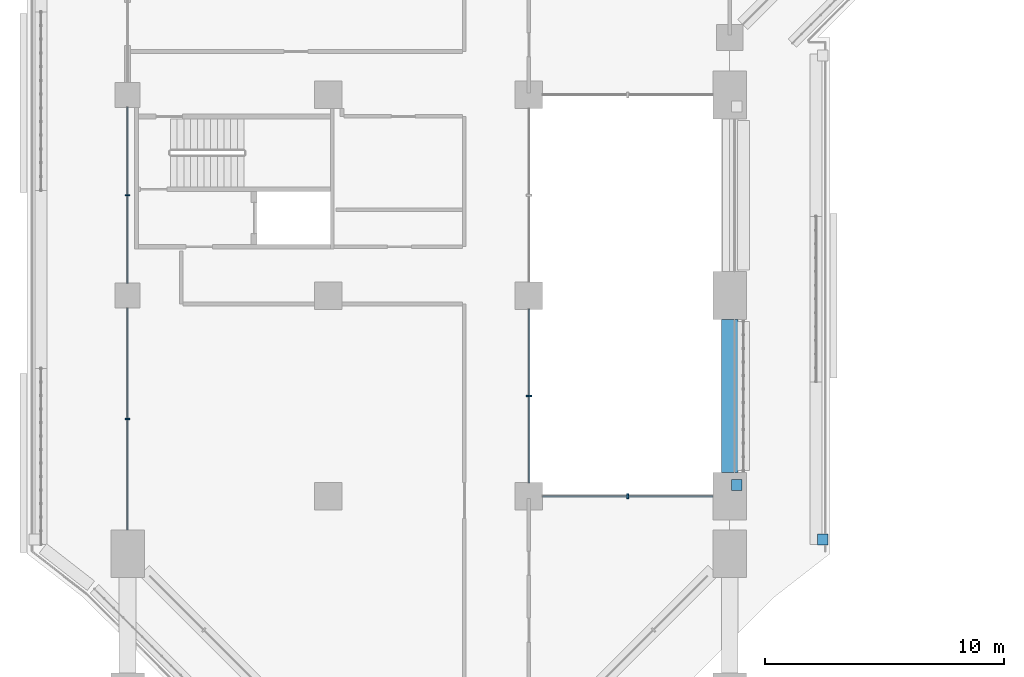
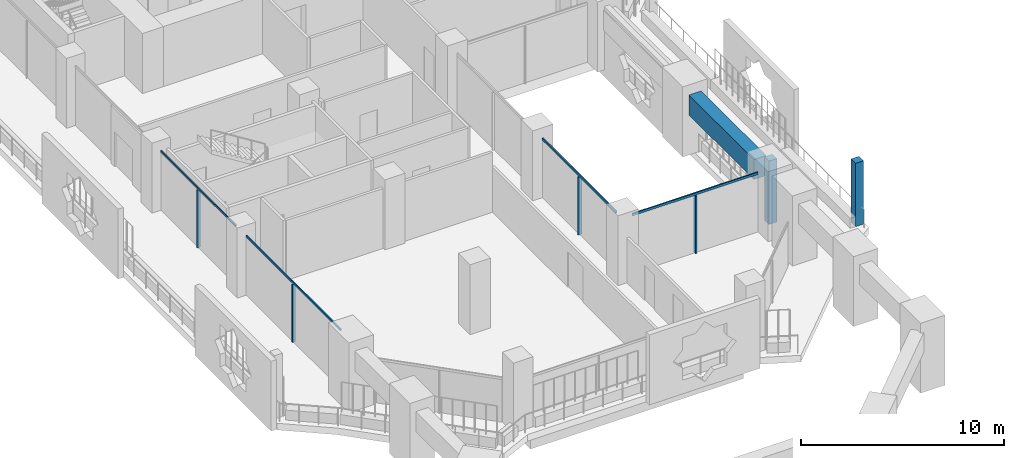
# One storey, part 3 of 29: 10 members, 1 beam, 4 elements without a shape of their own.
"""IFC4 building model written with IfcOpenShell, lengths in metres."""

from ifc_helpers import new_model, si_unit, direction, frame, origin, origin_2d, place, context, subcontext, project, spatial, rectangle, extrude, material, layer, layer_set, material_profile, profile_set, type_object, element, aggregate, save


model = new_model("IFC4")

# Units and contexts
model_context = context("Model", 3, precision=1e-05, world=origin(), true_north=direction((0.0, 1.0)))
body_context = subcontext(model_context, "Body", "Model", "MODEL_VIEW")
ifc_project = project(units=[si_unit("LENGTHUNIT", "METRE"), si_unit("AREAUNIT", "SQUARE_METRE"), si_unit("VOLUMEUNIT", "CUBIC_METRE"), si_unit("PLANEANGLEUNIT", "RADIAN"), si_unit("MASSUNIT", "GRAM", prefix="KILO")], contexts=[model_context])

# Site, building, storey
site_placement = place(None, origin())
site = spatial("IfcSite", under=ifc_project, at=site_placement, CompositionType="ELEMENT")
building_placement = place(site_placement, origin())
building = spatial("IfcBuilding", under=site, at=building_placement, Name="Kawkab Arch Medical Tower", CompositionType="ELEMENT")
storey_placement = place(building_placement, frame((0.0, 0.0, 107.199951171875)))
storey = spatial("IfcBuildingStorey", under=building, at=storey_placement, Name="L24", CompositionType="ELEMENT", Elevation=107.199951171875)

# Curtain wall, members
ifc_material_1 = material(Name="Bronze anodised aluminium curtain wall frame", Category="aluminium")
ifc_layer_1 = layer(ifc_material_1, 0.159912109375)
ifc_layer_set_1 = layer_set([ifc_layer_1], Name="Bronze anodised aluminium curtain wall frame")
curtain_wall_type_1 = type_object("IfcCurtainWallType", Name="CW1 ward curtain wall", PredefinedType="NOTDEFINED", material=ifc_layer_set_1)
placement = place(storey_placement, origin())
curtain_wall_1 = element("IfcCurtainWall", 1, at=placement, inside=storey, type_object=curtain_wall_type_1, Name="CW1 Ward curtain wall R13", PredefinedType="NOTDEFINED")
ifc_material_2 = material(Name="Bronze anodised aluminium curtain wall frame", Category="aluminium")
ifc_material_profile_1 = material_profile(ifc_material_2, rectangle(XDim=0.179931640625, YDim=0.06005859375, at=origin_2d()), Name="AL 60x180")
ifc_profile_set_1 = profile_set([ifc_material_profile_1], Name="Bronze anodised aluminium curtain wall frame")
member_type_1 = type_object("IfcMemberType", Name="CW1 mullion 60 x 180", PredefinedType="MULLION", material=ifc_profile_set_1)
member_1_placement = place(storey_placement, frame((0.0, -37.800048828125, 0.0), z_axis=(0.0, 0.0, 1.0), x_axis=(1.0, 0.0, 0.0)))
member_1 = element("IfcMember", 2, at=member_1_placement, type_object=member_type_1, Name="CW1 mullion 5.1", PredefinedType="MULLION", context=body_context, shape_type="SweptSolid", body=[
    extrude(rectangle(XDim=0.179931640625, YDim=0.06005859375, at=origin_2d()), origin(), (0.0, 0.0, 1.0), 3.47998046875),
])
member_2_placement = place(storey_placement, frame((0.0, -47.16259765625, 0.0), z_axis=(0.0, 0.0, 1.0), x_axis=(1.0, 0.0, 0.0)))
member_2 = element("IfcMember", 3, at=member_2_placement, type_object=member_type_1, Name="CW1 mullion 6.1", PredefinedType="MULLION", context=body_context, shape_type="SweptSolid", body=[
    extrude(rectangle(XDim=0.179931640625, YDim=0.06005859375, at=origin_2d()), origin(), (0.0, 0.0, 1.0), 3.47998046875),
])
ifc_material_3 = material(Name="Bronze anodised aluminium curtain wall frame", Category="aluminium")
ifc_material_profile_2 = material_profile(ifc_material_3, rectangle(XDim=0.06005859375, YDim=0.1201171875, at=origin_2d()), Name="AL 60x120")
ifc_profile_set_2 = profile_set([ifc_material_profile_2], Name="Bronze anodised aluminium curtain wall frame")
member_type_2 = type_object("IfcMemberType", Name="CW1 transom 120 x 60", PredefinedType="USERDEFINED", material=ifc_profile_set_2)
member_3_placement = place(storey_placement, frame((0.0, -34.125, 3.5400390625), z_axis=(0.0, -1.0, 0.0), x_axis=(1.0, 0.0, 0.0)))
member_3 = element("IfcMember", 4, at=member_3_placement, type_object=member_type_2, Name="CW1 transom 5", ObjectType="TRANSOM", PredefinedType="USERDEFINED", context=body_context, shape_type="SweptSolid", body=[
    extrude(rectangle(XDim=0.06005859375, YDim=0.1201171875, at=origin_2d()), origin(), (0.0, 0.0, 1.0), 7.35009765625),
])
member_4_placement = place(storey_placement, frame((0.0, -42.52490234375, 3.5400390625), z_axis=(0.0, -1.0, 0.0), x_axis=(1.0, 0.0, 0.0)))
member_4 = element("IfcMember", 5, at=member_4_placement, type_object=member_type_2, Name="CW1 transom 6", ObjectType="TRANSOM", PredefinedType="USERDEFINED", context=body_context, shape_type="SweptSolid", body=[
    extrude(rectangle(XDim=0.06005859375, YDim=0.1201171875, at=origin_2d()), origin(), (0.0, 0.0, 1.0), 9.275146484375),
])
aggregate(curtain_wall_1, [member_3, member_1, member_4, member_2])

# Curtain wall, member
ifc_material_4 = material(Name="Bronze anodised aluminium curtain wall frame", Category="aluminium")
ifc_layer_2 = layer(ifc_material_4, 0.159912109375)
ifc_layer_set_2 = layer_set([ifc_layer_2], Name="Bronze anodised aluminium curtain wall frame")
curtain_wall_type_2 = type_object("IfcCurtainWallType", Name="CW3 sky garden curtain wall", PredefinedType="NOTDEFINED", material=ifc_layer_set_2)
curtain_wall_2 = element("IfcCurtainWall", 6, at=placement, inside=storey, type_object=curtain_wall_type_2, Name="CW3 Sky garden curtain wall R02", PredefinedType="NOTDEFINED")
ifc_material_5 = material(Name="Bronze anodised aluminium curtain wall frame", Category="aluminium")
ifc_material_profile_3 = material_profile(ifc_material_5, rectangle(XDim=0.219970703125, YDim=0.070068359375, at=origin_2d()), Name="AL 70x220")
ifc_profile_set_3 = profile_set([ifc_material_profile_3], Name="Bronze anodised aluminium curtain wall frame")
member_type_3 = type_object("IfcMemberType", Name="CW3 mullion 70 x 220", PredefinedType="MULLION", material=ifc_profile_set_3)
member_5_placement = place(storey_placement, frame((20.9375, -50.39990234375, 0.0), z_axis=(0.0, 0.0, 1.0), x_axis=(0.0, -1.0, 0.0)))
member_5 = element("IfcMember", 7, at=member_5_placement, type_object=member_type_3, Name="CW3 mullion 1.1", PredefinedType="MULLION", context=body_context, shape_type="SweptSolid", body=[
    extrude(rectangle(XDim=0.219970703125, YDim=0.070068359375, at=origin_2d()), origin(), (0.0, 0.0, 1.0), 3.4599609375),
])

curtain_wall_3 = element("IfcCurtainWall", 8, at=placement, inside=storey, type_object=curtain_wall_type_2, Name="CW3 Sky garden curtain wall R03", PredefinedType="NOTDEFINED")
member_6_placement = place(storey_placement, frame((16.800048828125, -46.199951171875, 0.0), z_axis=(0.0, 0.0, 1.0), x_axis=(-1.0, 0.0, 0.0)))
member_6 = element("IfcMember", 9, at=member_6_placement, type_object=member_type_3, Name="CW3 mullion 1.1", PredefinedType="MULLION", context=body_context, shape_type="SweptSolid", body=[
    extrude(rectangle(XDim=0.219970703125, YDim=0.070068359375, at=origin_2d()), origin(), (0.0, 0.0, 1.0), 3.4599609375),
])

# Member
ifc_material_6 = material(Name="Bronze anodised aluminium curtain wall frame", Category="aluminium")
ifc_material_profile_4 = material_profile(ifc_material_6, rectangle(XDim=0.070068359375, YDim=0.139892578125, at=origin_2d()), Name="AL 70x140")
ifc_profile_set_4 = profile_set([ifc_material_profile_4], Name="Bronze anodised aluminium curtain wall frame")
member_type_4 = type_object("IfcMemberType", Name="CW3 transom 140 x 70", PredefinedType="USERDEFINED", material=ifc_profile_set_4)
member_7_placement = place(storey_placement, frame((24.5, -50.39990234375, 3.530029296875), z_axis=(-1.0, 0.0, 0.0), x_axis=(0.0, -1.0, 0.0)))
member_7 = element("IfcMember", 10, at=member_7_placement, type_object=member_type_4, Name="CW3 transom 1", ObjectType="TRANSOM", PredefinedType="USERDEFINED", context=body_context, shape_type="SweptSolid", body=[
    extrude(rectangle(XDim=0.070068359375, YDim=0.139892578125, at=origin_2d()), origin(), (0.0, 0.0, 1.0), 7.125),
])

aggregate(curtain_wall_2, [member_7, member_5])

member_8_placement = place(storey_placement, frame((16.800048828125, -49.824951171875, 3.530029296875), z_axis=(0.0, 1.0, 0.0), x_axis=(-1.0, 0.0, 0.0)))
member_8 = element("IfcMember", 11, at=member_8_placement, type_object=member_type_4, Name="CW3 transom 1", ObjectType="TRANSOM", PredefinedType="USERDEFINED", context=body_context, shape_type="SweptSolid", body=[
    extrude(rectangle(XDim=0.070068359375, YDim=0.139892578125, at=origin_2d()), origin(), (0.0, 0.0, 1.0), 7.25),
])

aggregate(curtain_wall_3, [member_8, member_6])

# Curtain wall, members
ifc_material_7 = material(Name="Bronze anodised aluminium climber frame, planted", Category="aluminium")
ifc_layer_3 = layer(ifc_material_7, 0.449951171875)
ifc_layer_set_3 = layer_set([ifc_layer_3], Name="Bronze anodised aluminium climber frame, planted")
curtain_wall_type_3 = type_object("IfcCurtainWallType", Name="Planted climber frame", PredefinedType="NOTDEFINED", material=ifc_layer_set_3)
curtain_wall_4 = element("IfcCurtainWall", 12, at=placement, inside=storey, type_object=curtain_wall_type_3, Name="Planted climber frame L24", PredefinedType="NOTDEFINED")
ifc_material_8 = material(Name="Bronze anodised aluminium climber frame, planted", Category="aluminium")
ifc_material_profile_5 = material_profile(ifc_material_8, rectangle(XDim=0.449951171875, YDim=0.449951171875, at=origin_2d()), Name="Post 450x450")
ifc_profile_set_5 = profile_set([ifc_material_profile_5], Name="Bronze anodised aluminium climber frame, planted")
member_type_5 = type_object("IfcMemberType", Name="Planted climber post 450 x 450", PredefinedType="MULLION", material=ifc_profile_set_5)
member_9_placement = place(storey_placement, frame((25.5, -49.919921875, 0.0), z_axis=(0.0, 0.0, 1.0), x_axis=(1.0, 0.0, 0.0)))
member_9 = element("IfcMember", 13, at=member_9_placement, type_object=member_type_5, Name="Planted climber post L24.LOG-01-01.1", PredefinedType="MULLION", context=body_context, shape_type="SweptSolid", body=[
    extrude(rectangle(XDim=0.449951171875, YDim=0.449951171875, at=origin_2d()), origin(), (0.0, 0.0, 1.0), 3.800048828125),
])
member_10_placement = place(storey_placement, frame((29.10009765625, -52.202880859375, 0.0), z_axis=(0.0, 0.0, 1.0), x_axis=(1.0, 0.0, 0.0)))
member_10 = element("IfcMember", 14, at=member_10_placement, type_object=member_type_5, Name="Planted climber post L24.LOG-01-02.4", PredefinedType="MULLION", context=body_context, shape_type="SweptSolid", body=[
    extrude(rectangle(XDim=0.449951171875, YDim=0.449951171875, at=origin_2d()), origin(), (0.0, 0.0, 1.0), 3.800048828125),
])
aggregate(curtain_wall_4, [member_9, member_10])

# Beam
ifc_material_9 = material(Name="Concrete C55/67", Category="concrete")
ifc_material_profile_6 = material_profile(ifc_material_9, rectangle(XDim=0.699951171875, YDim=1.199951171875, at=origin_2d()), Name="RC 700x1200")
ifc_profile_set_6 = profile_set([ifc_material_profile_6], Name="Concrete C55/67")
beam_type = type_object("IfcBeamType", Name="RC 700x1200 beam C55/67", PredefinedType="BEAM", material=ifc_profile_set_6)
beam_placement = place(storey_placement, frame((25.199951171875, -43.0, 3.0), z_axis=(0.0, -1.0, 0.0), x_axis=(1.0, 0.0, 0.0)))
element("IfcBeam", 15, at=beam_placement, inside=storey, type_object=beam_type, Name="Terrace frame beam TF-L22-2-L25-02", PredefinedType="BEAM", context=body_context, shape_type="SweptSolid", body=[
    extrude(rectangle(XDim=0.699951171875, YDim=1.199951171875, at=origin_2d()), origin(), (0.0, 0.0, 1.0), 6.39990234375),
])

save(model, "model.ifc")
